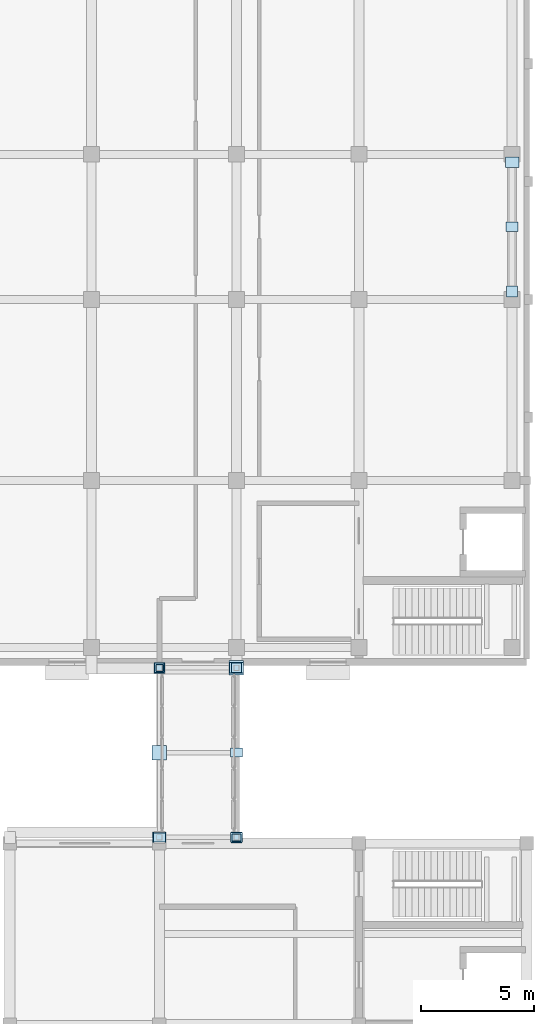
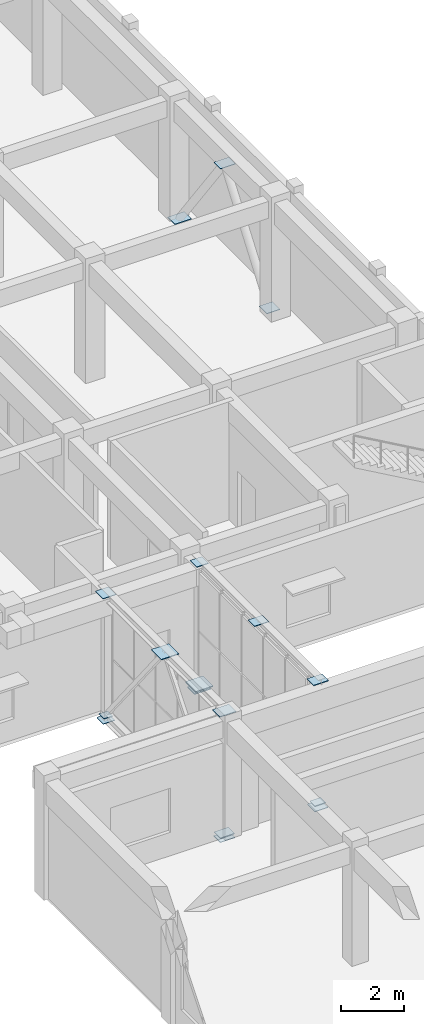
# One storey, part 38 of 64: 17 plates.
"""IFC4 building model written with IfcOpenShell, lengths in metres."""

from ifc_helpers import new_model, si_unit, direction, frame, origin, origin_2d, place, context, subcontext, project, spatial, rectangle, extrude, material, layer, layer_set, type_object, element, save


model = new_model("IFC4")

# Units and contexts
model_context = context("Model", 3, precision=1e-05, world=origin(), true_north=direction((0.0, 1.0)))
body_context = subcontext(model_context, "Body", "Model", "MODEL_VIEW")
ifc_project = project(units=[si_unit("LENGTHUNIT", "METRE"), si_unit("AREAUNIT", "SQUARE_METRE"), si_unit("VOLUMEUNIT", "CUBIC_METRE"), si_unit("PLANEANGLEUNIT", "RADIAN"), si_unit("MASSUNIT", "GRAM", prefix="KILO")], contexts=[model_context])

# Site, building, storey
site_placement = place(None, origin())
site = spatial("IfcSite", under=ifc_project, at=site_placement, CompositionType="ELEMENT")
building_placement = place(site_placement, origin())
building = spatial("IfcBuilding", under=site, at=building_placement, Name="Cinchona Park Media Centre", CompositionType="ELEMENT")
storey_placement = place(building_placement, frame((0.0, 0.0, 5.39990234375)))
storey = spatial("IfcBuildingStorey", under=building, at=storey_placement, Name="L01", CompositionType="ELEMENT", Elevation=5.39990234375)

# Plates
ifc_material_1 = material(Name="Steel S355", Category="steel")
ifc_layer_1 = layer(ifc_material_1, 0.02001953125)
ifc_layer_set_1 = layer_set([ifc_layer_1], Name="Steel S355")
plate_type_1 = type_object("IfcPlateType", Name="PLATE-GP01", PredefinedType="USERDEFINED", material=ifc_layer_set_1)
for number, where, z_axis, x_axis, name in (
    (1, (155.800048828125, 71.340087890625, -0.309814453125), (0.0, 0.0, 1.0), (1.0, 0.0, 0.0), "Truss Node Gusset Plate TN3"),
    (2, (159.199951171875, 71.340087890625, 4.5400390625), (0.0, 0.0, 1.0), (1.0, 0.0, 0.0), "Truss Node Gusset Plate TN3"),
):
    element("IfcPlate", number, at=place(storey_placement, frame(where, z_axis=z_axis, x_axis=x_axis)), inside=storey, type_object=plate_type_1, Name=name, ObjectType="GUSSET PLATE", PredefinedType="USERDEFINED", context=body_context, shape_type="SweptSolid", body=[
        extrude(rectangle(XDim=0.419921875, YDim=0.419921875, at=origin_2d()), origin(), (0.0, 0.0, 1.0), 0.02001953125),
    ])
ifc_material_2 = material(Name="Steel S355", Category="steel")
ifc_layer_2 = layer(ifc_material_2, 0.02197265625)
ifc_layer_set_2 = layer_set([ifc_layer_2], Name="Steel S355")
plate_type_2 = type_object("IfcPlateType", Name="PLATE-GP02", PredefinedType="USERDEFINED", material=ifc_layer_set_2)
for number, where, z_axis, x_axis, name in (
    (3, (155.800048828125, 71.340087890625, 4.5390625), (0.0, 0.0, 1.0), (1.0, 0.0, 0.0), "Truss Node Gusset Plate TN3"),
    (4, (159.199951171875, 63.860107421875, -0.310791015625), (0.0, 0.0, 1.0), (1.0, 0.0, 0.0), "Truss Node Gusset Plate TN3"),
    (5, (171.360107421875, 87.955078125, -0.005859375), (0.0, 0.0, 1.0), (1.0, 0.0, 0.0), "Truss Node Gusset Plate TN2"),
):
    element("IfcPlate", number, at=place(storey_placement, frame(where, z_axis=z_axis, x_axis=x_axis)), inside=storey, type_object=plate_type_2, Name=name, ObjectType="GUSSET PLATE", PredefinedType="USERDEFINED", context=body_context, shape_type="SweptSolid", body=[
        extrude(rectangle(XDim=0.47998046875, YDim=0.47998046875, at=origin_2d()), origin(), (0.0, 0.0, 1.0), 0.02197265625),
    ])
ifc_material_3 = material(Name="Steel S355", Category="steel")
ifc_layer_3 = layer(ifc_material_3, 0.02392578125)
ifc_layer_set_3 = layer_set([ifc_layer_3], Name="Steel S355")
plate_type_3 = type_object("IfcPlateType", Name="PLATE-GP03", PredefinedType="USERDEFINED", material=ifc_layer_set_3)
for number, where, z_axis, x_axis, name in (
    (6, (155.800048828125, 63.860107421875, -0.311767578125), (0.0, 0.0, 1.0), (1.0, 0.0, 0.0), "Truss Node Gusset Plate TN3"),
    (7, (159.199951171875, 63.860107421875, 4.5380859375), (0.0, 0.0, 1.0), (1.0, 0.0, 0.0), "Truss Node Gusset Plate TN3"),
    (8, (171.360107421875, 90.800048828125, 3.838134765625), (0.0, 0.0, 1.0), (1.0, 0.0, 0.0), "Truss Node Gusset Plate TN2"),
):
    element("IfcPlate", number, at=place(storey_placement, frame(where, z_axis=z_axis, x_axis=x_axis)), inside=storey, type_object=plate_type_3, Name=name, ObjectType="GUSSET PLATE", PredefinedType="USERDEFINED", context=body_context, shape_type="SweptSolid", body=[
        extrude(rectangle(XDim=0.5400390625, YDim=0.419921875, at=origin_2d()), origin(), (0.0, 0.0, 1.0), 0.02392578125),
    ])
ifc_material_4 = material(Name="Steel S355", Category="steel")
ifc_layer_4 = layer(ifc_material_4, 0.02587890625)
ifc_layer_set_4 = layer_set([ifc_layer_4], Name="Steel S355")
plate_type_4 = type_object("IfcPlateType", Name="PLATE-GP04", PredefinedType="USERDEFINED", material=ifc_layer_set_4)
for number, where, z_axis, x_axis, name in (
    (9, (155.800048828125, 63.860107421875, 4.537109375), (0.0, 0.0, 1.0), (1.0, 0.0, 0.0), "Truss Node Gusset Plate TN3"),
    (10, (159.199951171875, 71.340087890625, -0.312744140625), (0.0, 0.0, 1.0), (1.0, 0.0, 0.0), "Truss Node Gusset Plate TN3"),
    (11, (171.360107421875, 93.64501953125, -0.0078125), (0.0, 0.0, 1.0), (1.0, 0.0, 0.0), "Truss Node Gusset Plate TN2"),
):
    element("IfcPlate", number, at=place(storey_placement, frame(where, z_axis=z_axis, x_axis=x_axis)), inside=storey, type_object=plate_type_4, Name=name, ObjectType="GUSSET PLATE", PredefinedType="USERDEFINED", context=body_context, shape_type="SweptSolid", body=[
        extrude(rectangle(XDim=0.60009765625, YDim=0.4599609375, at=origin_2d()), origin(), (0.0, 0.0, 1.0), 0.02587890625),
    ])
ifc_material_5 = material(Name="Steel S355", Category="steel")
ifc_layer_5 = layer(ifc_material_5, 0.01806640625)
ifc_layer_set_5 = layer_set([ifc_layer_5], Name="Steel S355")
plate_type_5 = type_object("IfcPlateType", Name="PLATE-PL01", PredefinedType="SHEET", material=ifc_layer_set_5)
plate_1_placement = place(storey_placement, frame((155.800048828125, 71.340087890625, -0.158935546875), z_axis=(0.0, 0.0, 1.0), x_axis=(1.0, 0.0, 0.0)))
element("IfcPlate", 12, at=plate_1_placement, inside=storey, type_object=plate_type_5, Name="Hollow Member End Cap Plate PL01", PredefinedType="SHEET", context=body_context, shape_type="SweptSolid", body=[
    extrude(rectangle(XDim=0.320068359375, YDim=0.320068359375, at=origin_2d()), origin(), (0.0, 0.0, 1.0), 0.01806640625),
])
ifc_material_6 = material(Name="Steel S355", Category="steel")
ifc_layer_6 = layer(ifc_material_6, 0.02001953125)
ifc_layer_set_6 = layer_set([ifc_layer_6], Name="Steel S355")
plate_type_6 = type_object("IfcPlateType", Name="PLATE-PL02", PredefinedType="SHEET", material=ifc_layer_set_6)
plate_2_placement = place(storey_placement, frame((159.199951171875, 63.860107421875, -0.159912109375), z_axis=(0.0, 0.0, 1.0), x_axis=(1.0, 0.0, 0.0)))
element("IfcPlate", 13, at=plate_2_placement, inside=storey, type_object=plate_type_6, Name="Hollow Member End Cap Plate PL02", PredefinedType="SHEET", context=body_context, shape_type="SweptSolid", body=[
    extrude(rectangle(XDim=0.39990234375, YDim=0.320068359375, at=origin_2d()), origin(), (0.0, 0.0, 1.0), 0.02001953125),
])
ifc_material_7 = material(Name="Steel S355", Category="steel")
ifc_layer_7 = layer(ifc_material_7, 0.02392578125)
ifc_layer_set_7 = layer_set([ifc_layer_7], Name="Steel S355")
plate_type_7 = type_object("IfcPlateType", Name="PLATE-PL03", PredefinedType="SHEET", material=ifc_layer_set_7)
for number, where, z_axis, x_axis, name in (
    (14, (155.800048828125, 63.860107421875, -0.161865234375), (0.0, 0.0, 1.0), (1.0, 0.0, 0.0), "Hollow Member End Cap Plate PL03"),
    (15, (159.199951171875, 67.60009765625, 4.5380859375), (0.0, 0.0, 1.0), (1.0, 0.0, 0.0), "Hollow Member End Cap Plate PL03"),
):
    element("IfcPlate", number, at=place(storey_placement, frame(where, z_axis=z_axis, x_axis=x_axis)), inside=storey, type_object=plate_type_7, Name=name, PredefinedType="SHEET", context=body_context, shape_type="SweptSolid", body=[
        extrude(rectangle(XDim=0.52001953125, YDim=0.39990234375, at=origin_2d()), origin(), (0.0, 0.0, 1.0), 0.02392578125),
    ])
ifc_material_8 = material(Name="Steel S355", Category="steel")
ifc_layer_8 = layer(ifc_material_8, 0.030029296875)
ifc_layer_set_8 = layer_set([ifc_layer_8], Name="Steel S355")
plate_type_8 = type_object("IfcPlateType", Name="PLATE-PL04", PredefinedType="SHEET", material=ifc_layer_set_8)
for number, where, z_axis, x_axis, name in (
    (16, (155.800048828125, 67.60009765625, 4.53515625), (0.0, 0.0, 1.0), (1.0, 0.0, 0.0), "Hollow Member End Cap Plate PL04"),
    (17, (159.199951171875, 71.340087890625, -0.1650390625), (0.0, 0.0, 1.0), (1.0, 0.0, 0.0), "Hollow Member End Cap Plate PL04"),
):
    element("IfcPlate", number, at=place(storey_placement, frame(where, z_axis=z_axis, x_axis=x_axis)), inside=storey, type_object=plate_type_8, Name=name, PredefinedType="SHEET", context=body_context, shape_type="SweptSolid", body=[
        extrude(rectangle(XDim=0.639892578125, YDim=0.639892578125, at=origin_2d()), origin(), (0.0, 0.0, 1.0), 0.030029296875),
    ])

save(model, "model.ifc")
